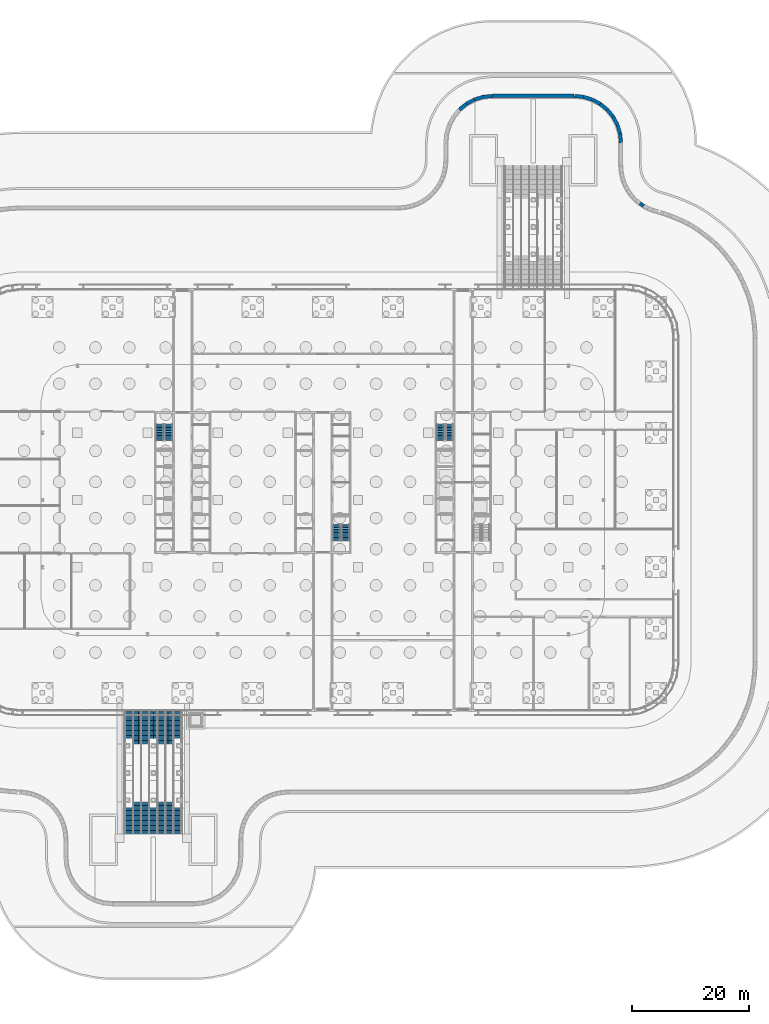
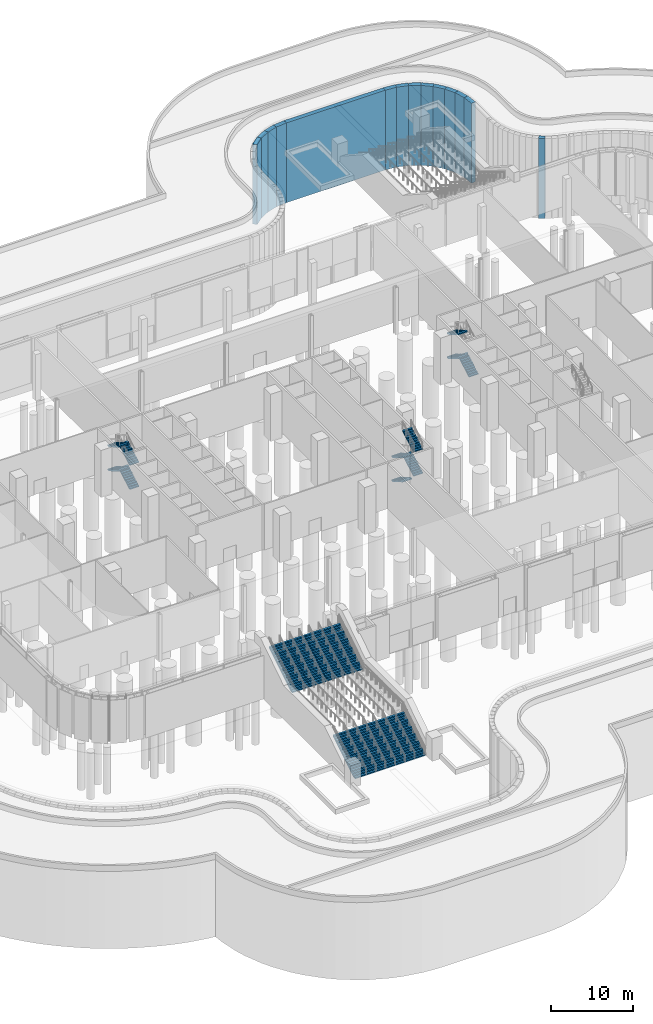
# One storey, part 31 of 48: 16 stair flights, 14 walls, 4 elements without a shape of their own.
"""IFC4 building model written with IfcOpenShell, lengths in metres."""

from ifc_helpers import new_model, si_unit, direction, frame, frame_2d, origin, place, context, subcontext, project, spatial, polyline, rectangle, outline, extrude, material, layer, layer_set, type_object, element, aggregate, save


model = new_model("IFC4")

# Units and contexts
model_context = context("Model", 3, precision=1e-05, world=origin(), true_north=direction((0.0, 1.0)))
body_context = subcontext(model_context, "Body", "Model", "MODEL_VIEW")
ifc_project = project(units=[si_unit("LENGTHUNIT", "METRE"), si_unit("AREAUNIT", "SQUARE_METRE"), si_unit("VOLUMEUNIT", "CUBIC_METRE"), si_unit("PLANEANGLEUNIT", "RADIAN"), si_unit("MASSUNIT", "GRAM", prefix="KILO")], contexts=[model_context])

# Site, building, storey
site_placement = place(None, origin())
site = spatial("IfcSite", under=ifc_project, at=site_placement, CompositionType="ELEMENT")
building_placement = place(site_placement, origin())
building = spatial("IfcBuilding", under=site, at=building_placement, Name="Mahtab Terrace Research Tower", CompositionType="ELEMENT")
storey_placement = place(building_placement, origin())
storey = spatial("IfcBuildingStorey", under=building, at=storey_placement, Name="G", CompositionType="ELEMENT", Elevation=0.0)

# Walls
ifc_material_1 = material(Name="Concrete C32/40", Category="concrete")
ifc_layer = layer(ifc_material_1, 0.60009765625)
ifc_layer_set = layer_set([ifc_layer], Name="Site retaining wall 600")
wall_type = type_object("IfcWallType", Name="Site retaining wall 600", PredefinedType="SOLIDWALL", material=ifc_layer_set)
wall_1_placement = place(storey_placement, frame((23.343017578125, 66.77197265625, -12.25), z_axis=(0.0, 0.0, 1.0), x_axis=(0.772846239574, 0.634593326451, 0.0)))
element("IfcWall", 1, at=wall_1_placement, inside=storey, type_object=wall_type, Name="Site retaining wall 55", PredefinedType="SOLIDWALL", context=body_context, shape_type="SweptSolid", body=[
    extrude(rectangle(XDim=1.568115234375, YDim=0.60009765625, at=frame_2d((0.7841796875, 0.0))), origin(), (0.0, 0.0, 1.0), 11.93994140625),
])
wall_2_placement = place(storey_placement, frame((24.554931640625, 67.76708984375, -12.25), z_axis=(0.0, 0.0, 1.0), x_axis=(0.882124544944, 0.471016228179, 0.0)))
element("IfcWall", 2, at=wall_2_placement, inside=storey, type_object=wall_type, Name="Site retaining wall 56", PredefinedType="SOLIDWALL", context=body_context, shape_type="SweptSolid", body=[
    extrude(rectangle(XDim=1.569091796875, YDim=0.60009765625, at=frame_2d((0.78466796875, 0.0))), origin(), (0.0, 0.0, 1.0), 11.93994140625),
])
wall_3_placement = place(storey_placement, frame((25.93896484375, 68.506103515625, -12.25), z_axis=(0.0, 0.0, 1.0), x_axis=(0.956973300117, 0.290175986022, 0.0)))
element("IfcWall", 3, at=wall_3_placement, inside=storey, type_object=wall_type, Name="Site retaining wall 57", PredefinedType="SOLIDWALL", context=body_context, shape_type="SweptSolid", body=[
    extrude(rectangle(XDim=1.5673828125, YDim=0.60009765625, at=frame_2d((0.78369140625, 0.0))), origin(), (0.0, 0.0, 1.0), 11.93994140625),
])
wall_4_placement = place(storey_placement, frame((27.43896484375, 68.9609375, -12.25), z_axis=(0.0, 0.0, 1.0), x_axis=(0.995165791889, 0.098209198418, 0.0)))
element("IfcWall", 4, at=wall_4_placement, inside=storey, type_object=wall_type, Name="Site retaining wall 58", PredefinedType="SOLIDWALL", context=body_context, shape_type="SweptSolid", body=[
    extrude(rectangle(XDim=1.568603515625, YDim=0.60009765625, at=frame_2d((0.7841796875, 0.0))), origin(), (0.0, 0.0, 1.0), 11.93994140625),
])
wall_5_placement = place(storey_placement, frame((29.0, 69.114990234375, -12.25), z_axis=(0.0, 0.0, 1.0), x_axis=(1.0, 0.0, 0.0)))
element("IfcWall", 5, at=wall_5_placement, inside=storey, type_object=wall_type, Name="Site retaining wall 59", PredefinedType="SOLIDWALL", context=body_context, shape_type="SweptSolid", body=[
    extrude(rectangle(XDim=14.0, YDim=0.60009765625, at=frame_2d((7.0, 0.0))), origin(), (0.0, 0.0, 1.0), 11.93994140625),
])
wall_6_placement = place(storey_placement, frame((43.0, 69.114990234375, -12.25), z_axis=(0.0, 0.0, 1.0), x_axis=(0.995165791889, -0.098209198418, 0.0)))
element("IfcWall", 6, at=wall_6_placement, inside=storey, type_object=wall_type, Name="Site retaining wall 60", PredefinedType="SOLIDWALL", context=body_context, shape_type="SweptSolid", body=[
    extrude(rectangle(XDim=1.568603515625, YDim=0.60009765625, at=frame_2d((0.7841796875, 0.0))), origin(), (0.0, 0.0, 1.0), 11.93994140625),
])
wall_7_placement = place(storey_placement, frame((44.56103515625, 68.9609375, -12.25), z_axis=(0.0, 0.0, 1.0), x_axis=(0.956973300117, -0.290175986022, 0.0)))
element("IfcWall", 7, at=wall_7_placement, inside=storey, type_object=wall_type, Name="Site retaining wall 61", PredefinedType="SOLIDWALL", context=body_context, shape_type="SweptSolid", body=[
    extrude(rectangle(XDim=1.5673828125, YDim=0.60009765625, at=frame_2d((0.78369140625, 0.0))), origin(), (0.0, 0.0, 1.0), 11.93994140625),
])
wall_8_placement = place(storey_placement, frame((46.06103515625, 68.506103515625, -12.25), z_axis=(0.0, 0.0, 1.0), x_axis=(0.882124544944, -0.471016228179, 0.0)))
element("IfcWall", 8, at=wall_8_placement, inside=storey, type_object=wall_type, Name="Site retaining wall 62", PredefinedType="SOLIDWALL", context=body_context, shape_type="SweptSolid", body=[
    extrude(rectangle(XDim=1.569091796875, YDim=0.60009765625, at=frame_2d((0.78466796875, 0.0))), origin(), (0.0, 0.0, 1.0), 11.93994140625),
])
for number, where, z_axis, x_axis, name in (
    (9, (47.445068359375, 67.76708984375, -12.25), (0.0, 0.0, 1.0), (0.772846239574, -0.634593326451, 0.0), "Site retaining wall 63"),
    (10, (48.656982421875, 66.77197265625, -12.25), (0.0, 0.0, 1.0), (0.634593326451, -0.772846239574, 0.0), "Site retaining wall 64"),
):
    element("IfcWall", number, at=place(storey_placement, frame(where, z_axis=z_axis, x_axis=x_axis)), inside=storey, type_object=wall_type, Name=name, PredefinedType="SOLIDWALL", context=body_context, shape_type="SweptSolid", body=[
        extrude(rectangle(XDim=1.568115234375, YDim=0.60009765625, at=frame_2d((0.7841796875, 0.0))), origin(), (0.0, 0.0, 1.0), 11.93994140625),
    ])
wall_9_placement = place(storey_placement, frame((49.652099609375, 65.56005859375, -12.25), z_axis=(0.0, 0.0, 1.0), x_axis=(0.471016228179, -0.882124544944, 0.0)))
element("IfcWall", 11, at=wall_9_placement, inside=storey, type_object=wall_type, Name="Site retaining wall 65", PredefinedType="SOLIDWALL", context=body_context, shape_type="SweptSolid", body=[
    extrude(rectangle(XDim=1.569091796875, YDim=0.60009765625, at=frame_2d((0.78466796875, 0.0))), origin(), (0.0, 0.0, 1.0), 11.93994140625),
])
wall_10_placement = place(storey_placement, frame((50.39111328125, 64.176025390625, -12.25), z_axis=(0.0, 0.0, 1.0), x_axis=(0.290175986022, -0.956973300117, 0.0)))
element("IfcWall", 12, at=wall_10_placement, inside=storey, type_object=wall_type, Name="Site retaining wall 66", PredefinedType="SOLIDWALL", context=body_context, shape_type="SweptSolid", body=[
    extrude(rectangle(XDim=1.5673828125, YDim=0.60009765625, at=frame_2d((0.78369140625, 0.0))), origin(), (0.0, 0.0, 1.0), 11.93994140625),
])
wall_11_placement = place(storey_placement, frame((50.845947265625, 62.676025390625, -12.25), z_axis=(0.0, 0.0, 1.0), x_axis=(0.098209198418, -0.995165791889, 0.0)))
element("IfcWall", 13, at=wall_11_placement, inside=storey, type_object=wall_type, Name="Site retaining wall 67", PredefinedType="SOLIDWALL", context=body_context, shape_type="SweptSolid", body=[
    extrude(rectangle(XDim=1.568603515625, YDim=0.60009765625, at=frame_2d((0.7841796875, 0.0))), origin(), (0.0, 0.0, 1.0), 11.93994140625),
])
wall_12_placement = place(storey_placement, frame((54.2509765625, 50.7451171875, -12.25), z_axis=(0.0, 0.0, 1.0), x_axis=(0.830992215068, -0.556284044798, 0.0)))
element("IfcWall", 14, at=wall_12_placement, inside=storey, type_object=wall_type, Name="Site retaining wall 79", PredefinedType="SOLIDWALL", context=body_context, shape_type="SweptSolid", body=[
    extrude(rectangle(XDim=0.781982421875, YDim=0.60009765625, at=frame_2d((0.39111328125, 0.0))), origin(), (0.0, 0.0, 1.0), 11.93994140625),
])

# Stair, stair flights
ifc_material_2 = material(Name="Exit stair half-turn")
stair_type_1 = type_object("IfcStairType", Name="Exit stair half-turn", PredefinedType="HALF_TURN_STAIR", material=ifc_material_2)
stair_1_placement = place(storey_placement, origin())
stair_1 = element("IfcStair", 15, at=stair_1_placement, inside=storey, type_object=stair_type_1, Name="G Protected exit stair ST1", PredefinedType="HALF_TURN_STAIR")
ifc_material_3 = material(Name="Concrete C40/50", Category="concrete")
stair_flight_type_1 = type_object("IfcStairFlightType", Name="Exit stair flight 1300", PredefinedType="STRAIGHT", material=ifc_material_3)
stair_flight_1_placement = place(storey_placement, frame((-26.35009765625, 10.175048828125, 0.0), z_axis=(0.0, 0.0, 1.0), x_axis=(0.0, 1.0, 0.0)))
stair_flight_1 = element("IfcStairFlight", 16, at=stair_flight_1_placement, type_object=stair_flight_type_1, Name="ST1 flight 1", NumberOfRisers=11, NumberOfTreads=10, PredefinedType="STRAIGHT", RiserHeight=0.163636364, TreadLength=0.28, context=body_context, shape_type="SweptSolid", body=[
    extrude(outline(polyline([(0.0, 0.0), (0.0, 0.16357421875), (0.280029296875, 0.16357421875), (0.280029296875, 0.327392578125), (0.56005859375, 0.327392578125), (0.56005859375, 0.490966796875), (0.840087890625, 0.490966796875), (0.840087890625, 0.654541015625), (1.1201171875, 0.654541015625), (1.1201171875, 0.818115234375), (1.39990234375, 0.818115234375), (1.39990234375, 0.98193359375), (1.679931640625, 0.98193359375), (1.679931640625, 1.1455078125), (1.9599609375, 1.1455078125), (1.9599609375, 1.30908203125), (2.239990234375, 1.30908203125), (2.239990234375, 1.47265625), (2.52001953125, 1.47265625), (2.52001953125, 1.636474609375), (2.800048828125, 1.636474609375), (2.800048828125, 1.800048828125), (2.800048828125, 1.462646484375), (0.297119140625, 0.0), (0.0, 0.0)])), frame((0.0, 0.64990234375, 0.0), z_axis=(0.0, -1.0, 0.0), x_axis=(1.0, 0.0, 0.0)), (0.0, 0.0, 1.0), 1.300048828125),
])
stair_flight_2_placement = place(storey_placement, frame((-27.89990234375, 12.97509765625, 1.800048828125), z_axis=(0.0, 0.0, 1.0), x_axis=(0.0, -1.0, 0.0)))
stair_flight_2 = element("IfcStairFlight", 17, at=stair_flight_2_placement, type_object=stair_flight_type_1, Name="ST1 flight 2", NumberOfRisers=11, NumberOfTreads=10, PredefinedType="STRAIGHT", RiserHeight=0.163636364, TreadLength=0.28, context=body_context, shape_type="SweptSolid", body=[
    extrude(outline(polyline([(0.0, 0.0), (0.0, 0.16357421875), (0.280029296875, 0.16357421875), (0.280029296875, 0.327392578125), (0.56005859375, 0.327392578125), (0.56005859375, 0.490966796875), (0.840087890625, 0.490966796875), (0.840087890625, 0.654541015625), (1.1201171875, 0.654541015625), (1.1201171875, 0.818115234375), (1.39990234375, 0.818115234375), (1.39990234375, 0.98193359375), (1.679931640625, 0.98193359375), (1.679931640625, 1.1455078125), (1.9599609375, 1.1455078125), (1.9599609375, 1.30908203125), (2.239990234375, 1.30908203125), (2.239990234375, 1.47265625), (2.52001953125, 1.47265625), (2.52001953125, 1.636474609375), (2.800048828125, 1.636474609375), (2.800048828125, 1.800048828125), (2.800048828125, 1.462646484375), (0.297119140625, 0.0), (0.0, 0.0)])), frame((0.0, 0.64990234375, 0.0), z_axis=(0.0, -1.0, 0.0), x_axis=(1.0, 0.0, 0.0)), (0.0, 0.0, 1.0), 1.300048828125),
])
stair_flight_3_placement = place(storey_placement, frame((-26.35009765625, 10.175048828125, 3.60009765625), z_axis=(0.0, 0.0, 1.0), x_axis=(0.0, 1.0, 0.0)))
stair_flight_3 = element("IfcStairFlight", 18, at=stair_flight_3_placement, type_object=stair_flight_type_1, Name="ST1 flight 3", NumberOfRisers=11, NumberOfTreads=10, PredefinedType="STRAIGHT", RiserHeight=0.163636364, TreadLength=0.28, context=body_context, shape_type="SweptSolid", body=[
    extrude(outline(polyline([(0.0, 0.0), (0.0, 0.16357421875), (0.280029296875, 0.16357421875), (0.280029296875, 0.327392578125), (0.56005859375, 0.327392578125), (0.56005859375, 0.490966796875), (0.840087890625, 0.490966796875), (0.840087890625, 0.654541015625), (1.1201171875, 0.654541015625), (1.1201171875, 0.818115234375), (1.39990234375, 0.818115234375), (1.39990234375, 0.98193359375), (1.679931640625, 0.98193359375), (1.679931640625, 1.1455078125), (1.9599609375, 1.1455078125), (1.9599609375, 1.30908203125), (2.239990234375, 1.30908203125), (2.239990234375, 1.47265625), (2.52001953125, 1.47265625), (2.52001953125, 1.636474609375), (2.800048828125, 1.636474609375), (2.800048828125, 1.800048828125), (2.800048828125, 1.462646484375), (0.297119140625, 0.0), (0.0, 0.0)])), frame((0.0, 0.64990234375, 0.0), z_axis=(0.0, -1.0, 0.0), x_axis=(1.0, 0.0, 0.0)), (0.0, 0.0, 1.0), 1.300048828125),
])
stair_flight_4_placement = place(storey_placement, frame((-27.89990234375, 12.97509765625, 5.39990234375), z_axis=(0.0, 0.0, 1.0), x_axis=(0.0, -1.0, 0.0)))
stair_flight_4 = element("IfcStairFlight", 19, at=stair_flight_4_placement, type_object=stair_flight_type_1, Name="ST1 flight 4", NumberOfRisers=11, NumberOfTreads=10, PredefinedType="STRAIGHT", RiserHeight=0.163636364, TreadLength=0.28, context=body_context, shape_type="SweptSolid", body=[
    extrude(outline(polyline([(0.0, 0.0), (0.0, 0.16357421875), (0.280029296875, 0.16357421875), (0.280029296875, 0.327392578125), (0.56005859375, 0.327392578125), (0.56005859375, 0.490966796875), (0.840087890625, 0.490966796875), (0.840087890625, 0.654541015625), (1.1201171875, 0.654541015625), (1.1201171875, 0.818115234375), (1.39990234375, 0.818115234375), (1.39990234375, 0.98193359375), (1.679931640625, 0.98193359375), (1.679931640625, 1.1455078125), (1.9599609375, 1.1455078125), (1.9599609375, 1.30908203125), (2.239990234375, 1.30908203125), (2.239990234375, 1.47265625), (2.52001953125, 1.47265625), (2.52001953125, 1.636474609375), (2.800048828125, 1.636474609375), (2.800048828125, 1.800048828125), (2.800048828125, 1.462646484375), (0.297119140625, 0.0), (0.0, 0.0)])), frame((0.0, 0.64990234375, 0.0), z_axis=(0.0, -1.0, 0.0), x_axis=(1.0, 0.0, 0.0)), (0.0, 0.0, 1.0), 1.300048828125),
])
aggregate(stair_1, [stair_flight_1, stair_flight_2, stair_flight_3, stair_flight_4])

stair_2_placement = place(storey_placement, origin())
stair_2 = element("IfcStair", 20, at=stair_2_placement, inside=storey, type_object=stair_type_1, Name="G Protected exit stair ST2", PredefinedType="HALF_TURN_STAIR")
stair_flight_5_placement = place(storey_placement, frame((2.35009765625, -4.175048828125, 0.0), z_axis=(0.0, 0.0, 1.0), x_axis=(0.0, -1.0, 0.0)))
stair_flight_5 = element("IfcStairFlight", 21, at=stair_flight_5_placement, type_object=stair_flight_type_1, Name="ST2 flight 1", NumberOfRisers=11, NumberOfTreads=10, PredefinedType="STRAIGHT", RiserHeight=0.163636364, TreadLength=0.28, context=body_context, shape_type="SweptSolid", body=[
    extrude(outline(polyline([(0.0, 0.0), (0.0, 0.16357421875), (0.280029296875, 0.16357421875), (0.280029296875, 0.327392578125), (0.56005859375, 0.327392578125), (0.56005859375, 0.490966796875), (0.840087890625, 0.490966796875), (0.840087890625, 0.654541015625), (1.1201171875, 0.654541015625), (1.1201171875, 0.818115234375), (1.39990234375, 0.818115234375), (1.39990234375, 0.98193359375), (1.679931640625, 0.98193359375), (1.679931640625, 1.1455078125), (1.9599609375, 1.1455078125), (1.9599609375, 1.30908203125), (2.239990234375, 1.30908203125), (2.239990234375, 1.47265625), (2.52001953125, 1.47265625), (2.52001953125, 1.636474609375), (2.800048828125, 1.636474609375), (2.800048828125, 1.800048828125), (2.800048828125, 1.462646484375), (0.297119140625, 0.0), (0.0, 0.0)])), frame((0.0, 0.64990234375, 0.0), z_axis=(0.0, -1.0, 0.0), x_axis=(1.0, 0.0, 0.0)), (0.0, 0.0, 1.0), 1.300048828125),
])
stair_flight_6_placement = place(storey_placement, frame((3.89990234375, -6.97509765625, 1.800048828125), z_axis=(0.0, 0.0, 1.0), x_axis=(0.0, 1.0, 0.0)))
stair_flight_6 = element("IfcStairFlight", 22, at=stair_flight_6_placement, type_object=stair_flight_type_1, Name="ST2 flight 2", NumberOfRisers=11, NumberOfTreads=10, PredefinedType="STRAIGHT", RiserHeight=0.163636364, TreadLength=0.28, context=body_context, shape_type="SweptSolid", body=[
    extrude(outline(polyline([(0.0, 0.0), (0.0, 0.16357421875), (0.280029296875, 0.16357421875), (0.280029296875, 0.327392578125), (0.56005859375, 0.327392578125), (0.56005859375, 0.490966796875), (0.840087890625, 0.490966796875), (0.840087890625, 0.654541015625), (1.1201171875, 0.654541015625), (1.1201171875, 0.818115234375), (1.39990234375, 0.818115234375), (1.39990234375, 0.98193359375), (1.679931640625, 0.98193359375), (1.679931640625, 1.1455078125), (1.9599609375, 1.1455078125), (1.9599609375, 1.30908203125), (2.239990234375, 1.30908203125), (2.239990234375, 1.47265625), (2.52001953125, 1.47265625), (2.52001953125, 1.636474609375), (2.800048828125, 1.636474609375), (2.800048828125, 1.800048828125), (2.800048828125, 1.462646484375), (0.297119140625, 0.0), (0.0, 0.0)])), frame((0.0, 0.64990234375, 0.0), z_axis=(0.0, -1.0, 0.0), x_axis=(1.0, 0.0, 0.0)), (0.0, 0.0, 1.0), 1.300048828125),
])
stair_flight_7_placement = place(storey_placement, frame((2.35009765625, -4.175048828125, 3.60009765625), z_axis=(0.0, 0.0, 1.0), x_axis=(0.0, -1.0, 0.0)))
stair_flight_7 = element("IfcStairFlight", 23, at=stair_flight_7_placement, type_object=stair_flight_type_1, Name="ST2 flight 3", NumberOfRisers=11, NumberOfTreads=10, PredefinedType="STRAIGHT", RiserHeight=0.163636364, TreadLength=0.28, context=body_context, shape_type="SweptSolid", body=[
    extrude(outline(polyline([(0.0, 0.0), (0.0, 0.16357421875), (0.280029296875, 0.16357421875), (0.280029296875, 0.327392578125), (0.56005859375, 0.327392578125), (0.56005859375, 0.490966796875), (0.840087890625, 0.490966796875), (0.840087890625, 0.654541015625), (1.1201171875, 0.654541015625), (1.1201171875, 0.818115234375), (1.39990234375, 0.818115234375), (1.39990234375, 0.98193359375), (1.679931640625, 0.98193359375), (1.679931640625, 1.1455078125), (1.9599609375, 1.1455078125), (1.9599609375, 1.30908203125), (2.239990234375, 1.30908203125), (2.239990234375, 1.47265625), (2.52001953125, 1.47265625), (2.52001953125, 1.636474609375), (2.800048828125, 1.636474609375), (2.800048828125, 1.800048828125), (2.800048828125, 1.462646484375), (0.297119140625, 0.0), (0.0, 0.0)])), frame((0.0, 0.64990234375, 0.0), z_axis=(0.0, -1.0, 0.0), x_axis=(1.0, 0.0, 0.0)), (0.0, 0.0, 1.0), 1.300048828125),
])
stair_flight_8_placement = place(storey_placement, frame((3.89990234375, -6.97509765625, 5.39990234375), z_axis=(0.0, 0.0, 1.0), x_axis=(0.0, 1.0, 0.0)))
stair_flight_8 = element("IfcStairFlight", 24, at=stair_flight_8_placement, type_object=stair_flight_type_1, Name="ST2 flight 4", NumberOfRisers=11, NumberOfTreads=10, PredefinedType="STRAIGHT", RiserHeight=0.163636364, TreadLength=0.28, context=body_context, shape_type="SweptSolid", body=[
    extrude(outline(polyline([(0.0, 0.0), (0.0, 0.16357421875), (0.280029296875, 0.16357421875), (0.280029296875, 0.327392578125), (0.56005859375, 0.327392578125), (0.56005859375, 0.490966796875), (0.840087890625, 0.490966796875), (0.840087890625, 0.654541015625), (1.1201171875, 0.654541015625), (1.1201171875, 0.818115234375), (1.39990234375, 0.818115234375), (1.39990234375, 0.98193359375), (1.679931640625, 0.98193359375), (1.679931640625, 1.1455078125), (1.9599609375, 1.1455078125), (1.9599609375, 1.30908203125), (2.239990234375, 1.30908203125), (2.239990234375, 1.47265625), (2.52001953125, 1.47265625), (2.52001953125, 1.636474609375), (2.800048828125, 1.636474609375), (2.800048828125, 1.800048828125), (2.800048828125, 1.462646484375), (0.297119140625, 0.0), (0.0, 0.0)])), frame((0.0, 0.64990234375, 0.0), z_axis=(0.0, -1.0, 0.0), x_axis=(1.0, 0.0, 0.0)), (0.0, 0.0, 1.0), 1.300048828125),
])
aggregate(stair_2, [stair_flight_5, stair_flight_6, stair_flight_7, stair_flight_8])

stair_3_placement = place(storey_placement, origin())
stair_3 = element("IfcStair", 25, at=stair_3_placement, inside=storey, type_object=stair_type_1, Name="G Protected exit stair ST3", PredefinedType="HALF_TURN_STAIR")
stair_flight_9_placement = place(storey_placement, frame((21.64990234375, 10.175048828125, 0.0), z_axis=(0.0, 0.0, 1.0), x_axis=(0.0, 1.0, 0.0)))
stair_flight_9 = element("IfcStairFlight", 26, at=stair_flight_9_placement, type_object=stair_flight_type_1, Name="ST3 flight 1", NumberOfRisers=11, NumberOfTreads=10, PredefinedType="STRAIGHT", RiserHeight=0.163636364, TreadLength=0.28, context=body_context, shape_type="SweptSolid", body=[
    extrude(outline(polyline([(0.0, 0.0), (0.0, 0.16357421875), (0.280029296875, 0.16357421875), (0.280029296875, 0.327392578125), (0.56005859375, 0.327392578125), (0.56005859375, 0.490966796875), (0.840087890625, 0.490966796875), (0.840087890625, 0.654541015625), (1.1201171875, 0.654541015625), (1.1201171875, 0.818115234375), (1.39990234375, 0.818115234375), (1.39990234375, 0.98193359375), (1.679931640625, 0.98193359375), (1.679931640625, 1.1455078125), (1.9599609375, 1.1455078125), (1.9599609375, 1.30908203125), (2.239990234375, 1.30908203125), (2.239990234375, 1.47265625), (2.52001953125, 1.47265625), (2.52001953125, 1.636474609375), (2.800048828125, 1.636474609375), (2.800048828125, 1.800048828125), (2.800048828125, 1.462646484375), (0.297119140625, 0.0), (0.0, 0.0)])), frame((0.0, 0.64990234375, 0.0), z_axis=(0.0, -1.0, 0.0), x_axis=(1.0, 0.0, 0.0)), (0.0, 0.0, 1.0), 1.300048828125),
])
stair_flight_10_placement = place(storey_placement, frame((20.10009765625, 12.97509765625, 1.800048828125), z_axis=(0.0, 0.0, 1.0), x_axis=(0.0, -1.0, 0.0)))
stair_flight_10 = element("IfcStairFlight", 27, at=stair_flight_10_placement, type_object=stair_flight_type_1, Name="ST3 flight 2", NumberOfRisers=11, NumberOfTreads=10, PredefinedType="STRAIGHT", RiserHeight=0.163636364, TreadLength=0.28, context=body_context, shape_type="SweptSolid", body=[
    extrude(outline(polyline([(0.0, 0.0), (0.0, 0.16357421875), (0.280029296875, 0.16357421875), (0.280029296875, 0.327392578125), (0.56005859375, 0.327392578125), (0.56005859375, 0.490966796875), (0.840087890625, 0.490966796875), (0.840087890625, 0.654541015625), (1.1201171875, 0.654541015625), (1.1201171875, 0.818115234375), (1.39990234375, 0.818115234375), (1.39990234375, 0.98193359375), (1.679931640625, 0.98193359375), (1.679931640625, 1.1455078125), (1.9599609375, 1.1455078125), (1.9599609375, 1.30908203125), (2.239990234375, 1.30908203125), (2.239990234375, 1.47265625), (2.52001953125, 1.47265625), (2.52001953125, 1.636474609375), (2.800048828125, 1.636474609375), (2.800048828125, 1.800048828125), (2.800048828125, 1.462646484375), (0.297119140625, 0.0), (0.0, 0.0)])), frame((0.0, 0.64990234375, 0.0), z_axis=(0.0, -1.0, 0.0), x_axis=(1.0, 0.0, 0.0)), (0.0, 0.0, 1.0), 1.300048828125),
])
stair_flight_11_placement = place(storey_placement, frame((20.10009765625, 12.97509765625, 5.39990234375), z_axis=(0.0, 0.0, 1.0), x_axis=(0.0, -1.0, 0.0)))
stair_flight_11 = element("IfcStairFlight", 28, at=stair_flight_11_placement, type_object=stair_flight_type_1, Name="ST3 flight 4", NumberOfRisers=11, NumberOfTreads=10, PredefinedType="STRAIGHT", RiserHeight=0.163636364, TreadLength=0.28, context=body_context, shape_type="SweptSolid", body=[
    extrude(outline(polyline([(0.0, 0.0), (0.0, 0.16357421875), (0.280029296875, 0.16357421875), (0.280029296875, 0.327392578125), (0.56005859375, 0.327392578125), (0.56005859375, 0.490966796875), (0.840087890625, 0.490966796875), (0.840087890625, 0.654541015625), (1.1201171875, 0.654541015625), (1.1201171875, 0.818115234375), (1.39990234375, 0.818115234375), (1.39990234375, 0.98193359375), (1.679931640625, 0.98193359375), (1.679931640625, 1.1455078125), (1.9599609375, 1.1455078125), (1.9599609375, 1.30908203125), (2.239990234375, 1.30908203125), (2.239990234375, 1.47265625), (2.52001953125, 1.47265625), (2.52001953125, 1.636474609375), (2.800048828125, 1.636474609375), (2.800048828125, 1.800048828125), (2.800048828125, 1.462646484375), (0.297119140625, 0.0), (0.0, 0.0)])), frame((0.0, 0.64990234375, 0.0), z_axis=(0.0, -1.0, 0.0), x_axis=(1.0, 0.0, 0.0)), (0.0, 0.0, 1.0), 1.300048828125),
])
aggregate(stair_3, [stair_flight_9, stair_flight_10, stair_flight_11])

ifc_material_4 = material(Name="Public deck stair")
stair_type_2 = type_object("IfcStairType", Name="Public deck stair", PredefinedType="STRAIGHT_RUN_STAIR", material=ifc_material_4)
stair_4_placement = place(storey_placement, origin())
stair_4 = element("IfcStair", 29, at=stair_4_placement, inside=storey, type_object=stair_type_2, Name="Public deck stair PS1", PredefinedType="STRAIGHT_RUN_STAIR")
stair_flight_type_2 = type_object("IfcStairFlightType", Name="Public deck stair flight 6000", PredefinedType="STRAIGHT", material=ifc_material_3)
stair_flight_12_placement = place(storey_placement, frame((-29.0, -57.114990234375, 0.0), z_axis=(0.0, 0.0, 1.0), x_axis=(0.0, 1.0, 0.0)))
stair_flight_12 = element("IfcStairFlight", 30, at=stair_flight_12_placement, type_object=stair_flight_type_2, Name="PS1 flight 1", NumberOfRisers=20, NumberOfTreads=19, PredefinedType="STRAIGHT", RiserHeight=0.175609756, TreadLength=0.285, context=body_context, shape_type="SweptSolid", body=[
    extrude(outline(polyline([(0.0, 0.0), (0.0, 0.175537109375), (0.284912109375, 0.175537109375), (0.284912109375, 0.351318359375), (0.570068359375, 0.351318359375), (0.570068359375, 0.52685546875), (0.85498046875, 0.52685546875), (0.85498046875, 0.702392578125), (1.139892578125, 0.702392578125), (1.139892578125, 0.8779296875), (1.425048828125, 0.8779296875), (1.425048828125, 1.0537109375), (1.7099609375, 1.0537109375), (1.7099609375, 1.229248046875), (1.9951171875, 1.229248046875), (1.9951171875, 1.40478515625), (2.280029296875, 1.40478515625), (2.280029296875, 1.58056640625), (2.56494140625, 1.58056640625), (2.56494140625, 1.756103515625), (2.85009765625, 1.756103515625), (2.85009765625, 1.931640625), (3.135009765625, 1.931640625), (3.135009765625, 2.107421875), (3.419921875, 2.107421875), (3.419921875, 2.282958984375), (3.705078125, 2.282958984375), (3.705078125, 2.45849609375), (3.989990234375, 2.45849609375), (3.989990234375, 2.634033203125), (4.27490234375, 2.634033203125), (4.27490234375, 2.809814453125), (4.56005859375, 2.809814453125), (4.56005859375, 2.9853515625), (4.844970703125, 2.9853515625), (4.844970703125, 3.160888671875), (5.1298828125, 3.160888671875), (5.1298828125, 3.336669921875), (5.4150390625, 3.336669921875), (5.4150390625, 3.51220703125), (5.4150390625, 3.101806640625), (0.381103515625, 0.0), (0.0, 0.0)])), frame((0.0, 5.0, 0.0), z_axis=(0.0, -1.0, 0.0), x_axis=(1.0, 0.0, 0.0)), (0.0, 0.0, 1.0), 10.0),
])
stair_flight_13_placement = place(storey_placement, frame((-32.75, -41.699951171875, 3.51220703125), z_axis=(0.0, 0.0, 1.0), x_axis=(0.0, 1.0, 0.0)))
stair_flight_13 = element("IfcStairFlight", 31, at=stair_flight_13_placement, type_object=stair_flight_type_2, Name="PS1 flight 2 strand 1", NumberOfRisers=21, NumberOfTreads=20, PredefinedType="STRAIGHT", RiserHeight=0.175609756, TreadLength=0.285, context=body_context, shape_type="SweptSolid", body=[
    extrude(outline(polyline([(0.0, 0.0), (0.0, 0.175537109375), (0.284912109375, 0.175537109375), (0.284912109375, 0.351318359375), (0.570068359375, 0.351318359375), (0.570068359375, 0.52685546875), (0.85498046875, 0.52685546875), (0.85498046875, 0.702392578125), (1.139892578125, 0.702392578125), (1.139892578125, 0.8779296875), (1.425048828125, 0.8779296875), (1.425048828125, 1.0537109375), (1.7099609375, 1.0537109375), (1.7099609375, 1.229248046875), (1.9951171875, 1.229248046875), (1.9951171875, 1.40478515625), (2.280029296875, 1.40478515625), (2.280029296875, 1.58056640625), (2.56494140625, 1.58056640625), (2.56494140625, 1.756103515625), (2.85009765625, 1.756103515625), (2.85009765625, 1.931640625), (3.135009765625, 1.931640625), (3.135009765625, 2.107421875), (3.419921875, 2.107421875), (3.419921875, 2.282958984375), (3.705078125, 2.282958984375), (3.705078125, 2.45849609375), (3.989990234375, 2.45849609375), (3.989990234375, 2.634033203125), (4.27490234375, 2.634033203125), (4.27490234375, 2.809814453125), (4.56005859375, 2.809814453125), (4.56005859375, 2.9853515625), (4.844970703125, 2.9853515625), (4.844970703125, 3.160888671875), (5.1298828125, 3.160888671875), (5.1298828125, 3.336669921875), (5.4150390625, 3.336669921875), (5.4150390625, 3.51220703125), (5.699951171875, 3.51220703125), (5.699951171875, 3.687744140625), (5.699951171875, 3.27734375), (0.381103515625, 0.0), (0.0, 0.0)])), frame((0.0, 1.25, 0.0), z_axis=(0.0, -1.0, 0.0), x_axis=(1.0, 0.0, 0.0)), (0.0, 0.0, 1.0), 2.5),
])
stair_flight_14_placement = place(storey_placement, frame((-30.25, -41.699951171875, 3.51220703125), z_axis=(0.0, 0.0, 1.0), x_axis=(0.0, 1.0, 0.0)))
stair_flight_14 = element("IfcStairFlight", 32, at=stair_flight_14_placement, type_object=stair_flight_type_2, Name="PS1 flight 2 strand 2", NumberOfRisers=21, NumberOfTreads=20, PredefinedType="STRAIGHT", RiserHeight=0.175609756, TreadLength=0.285, context=body_context, shape_type="SweptSolid", body=[
    extrude(outline(polyline([(0.0, 0.0), (0.0, 0.175537109375), (0.284912109375, 0.175537109375), (0.284912109375, 0.351318359375), (0.570068359375, 0.351318359375), (0.570068359375, 0.52685546875), (0.85498046875, 0.52685546875), (0.85498046875, 0.702392578125), (1.139892578125, 0.702392578125), (1.139892578125, 0.8779296875), (1.425048828125, 0.8779296875), (1.425048828125, 1.0537109375), (1.7099609375, 1.0537109375), (1.7099609375, 1.229248046875), (1.9951171875, 1.229248046875), (1.9951171875, 1.40478515625), (2.280029296875, 1.40478515625), (2.280029296875, 1.58056640625), (2.56494140625, 1.58056640625), (2.56494140625, 1.756103515625), (2.85009765625, 1.756103515625), (2.85009765625, 1.931640625), (3.135009765625, 1.931640625), (3.135009765625, 2.107421875), (3.419921875, 2.107421875), (3.419921875, 2.282958984375), (3.705078125, 2.282958984375), (3.705078125, 2.45849609375), (3.989990234375, 2.45849609375), (3.989990234375, 2.634033203125), (4.27490234375, 2.634033203125), (4.27490234375, 2.809814453125), (4.56005859375, 2.809814453125), (4.56005859375, 2.9853515625), (4.844970703125, 2.9853515625), (4.844970703125, 3.160888671875), (5.1298828125, 3.160888671875), (5.1298828125, 3.336669921875), (5.4150390625, 3.336669921875), (5.4150390625, 3.51220703125), (5.699951171875, 3.51220703125), (5.699951171875, 3.687744140625), (5.699951171875, 3.27734375), (0.381103515625, 0.0), (0.0, 0.0)])), frame((0.0, 1.25, 0.0), z_axis=(0.0, -1.0, 0.0), x_axis=(1.0, 0.0, 0.0)), (0.0, 0.0, 1.0), 2.5),
])
stair_flight_15_placement = place(storey_placement, frame((-27.75, -41.699951171875, 3.51220703125), z_axis=(0.0, 0.0, 1.0), x_axis=(0.0, 1.0, 0.0)))
stair_flight_15 = element("IfcStairFlight", 33, at=stair_flight_15_placement, type_object=stair_flight_type_2, Name="PS1 flight 2 strand 3", NumberOfRisers=21, NumberOfTreads=20, PredefinedType="STRAIGHT", RiserHeight=0.175609756, TreadLength=0.285, context=body_context, shape_type="SweptSolid", body=[
    extrude(outline(polyline([(0.0, 0.0), (0.0, 0.175537109375), (0.284912109375, 0.175537109375), (0.284912109375, 0.351318359375), (0.570068359375, 0.351318359375), (0.570068359375, 0.52685546875), (0.85498046875, 0.52685546875), (0.85498046875, 0.702392578125), (1.139892578125, 0.702392578125), (1.139892578125, 0.8779296875), (1.425048828125, 0.8779296875), (1.425048828125, 1.0537109375), (1.7099609375, 1.0537109375), (1.7099609375, 1.229248046875), (1.9951171875, 1.229248046875), (1.9951171875, 1.40478515625), (2.280029296875, 1.40478515625), (2.280029296875, 1.58056640625), (2.56494140625, 1.58056640625), (2.56494140625, 1.756103515625), (2.85009765625, 1.756103515625), (2.85009765625, 1.931640625), (3.135009765625, 1.931640625), (3.135009765625, 2.107421875), (3.419921875, 2.107421875), (3.419921875, 2.282958984375), (3.705078125, 2.282958984375), (3.705078125, 2.45849609375), (3.989990234375, 2.45849609375), (3.989990234375, 2.634033203125), (4.27490234375, 2.634033203125), (4.27490234375, 2.809814453125), (4.56005859375, 2.809814453125), (4.56005859375, 2.9853515625), (4.844970703125, 2.9853515625), (4.844970703125, 3.160888671875), (5.1298828125, 3.160888671875), (5.1298828125, 3.336669921875), (5.4150390625, 3.336669921875), (5.4150390625, 3.51220703125), (5.699951171875, 3.51220703125), (5.699951171875, 3.687744140625), (5.699951171875, 3.27734375), (0.381103515625, 0.0), (0.0, 0.0)])), frame((0.0, 1.25, 0.0), z_axis=(0.0, -1.0, 0.0), x_axis=(1.0, 0.0, 0.0)), (0.0, 0.0, 1.0), 2.5),
])
stair_flight_16_placement = place(storey_placement, frame((-25.25, -41.699951171875, 3.51220703125), z_axis=(0.0, 0.0, 1.0), x_axis=(0.0, 1.0, 0.0)))
stair_flight_16 = element("IfcStairFlight", 34, at=stair_flight_16_placement, type_object=stair_flight_type_2, Name="PS1 flight 2 strand 4", NumberOfRisers=21, NumberOfTreads=20, PredefinedType="STRAIGHT", RiserHeight=0.175609756, TreadLength=0.285, context=body_context, shape_type="SweptSolid", body=[
    extrude(outline(polyline([(0.0, 0.0), (0.0, 0.175537109375), (0.284912109375, 0.175537109375), (0.284912109375, 0.351318359375), (0.570068359375, 0.351318359375), (0.570068359375, 0.52685546875), (0.85498046875, 0.52685546875), (0.85498046875, 0.702392578125), (1.139892578125, 0.702392578125), (1.139892578125, 0.8779296875), (1.425048828125, 0.8779296875), (1.425048828125, 1.0537109375), (1.7099609375, 1.0537109375), (1.7099609375, 1.229248046875), (1.9951171875, 1.229248046875), (1.9951171875, 1.40478515625), (2.280029296875, 1.40478515625), (2.280029296875, 1.58056640625), (2.56494140625, 1.58056640625), (2.56494140625, 1.756103515625), (2.85009765625, 1.756103515625), (2.85009765625, 1.931640625), (3.135009765625, 1.931640625), (3.135009765625, 2.107421875), (3.419921875, 2.107421875), (3.419921875, 2.282958984375), (3.705078125, 2.282958984375), (3.705078125, 2.45849609375), (3.989990234375, 2.45849609375), (3.989990234375, 2.634033203125), (4.27490234375, 2.634033203125), (4.27490234375, 2.809814453125), (4.56005859375, 2.809814453125), (4.56005859375, 2.9853515625), (4.844970703125, 2.9853515625), (4.844970703125, 3.160888671875), (5.1298828125, 3.160888671875), (5.1298828125, 3.336669921875), (5.4150390625, 3.336669921875), (5.4150390625, 3.51220703125), (5.699951171875, 3.51220703125), (5.699951171875, 3.687744140625), (5.699951171875, 3.27734375), (0.381103515625, 0.0), (0.0, 0.0)])), frame((0.0, 1.25, 0.0), z_axis=(0.0, -1.0, 0.0), x_axis=(1.0, 0.0, 0.0)), (0.0, 0.0, 1.0), 2.5),
])
aggregate(stair_4, [stair_flight_12, stair_flight_13, stair_flight_14, stair_flight_15, stair_flight_16])

save(model, "model.ifc")
